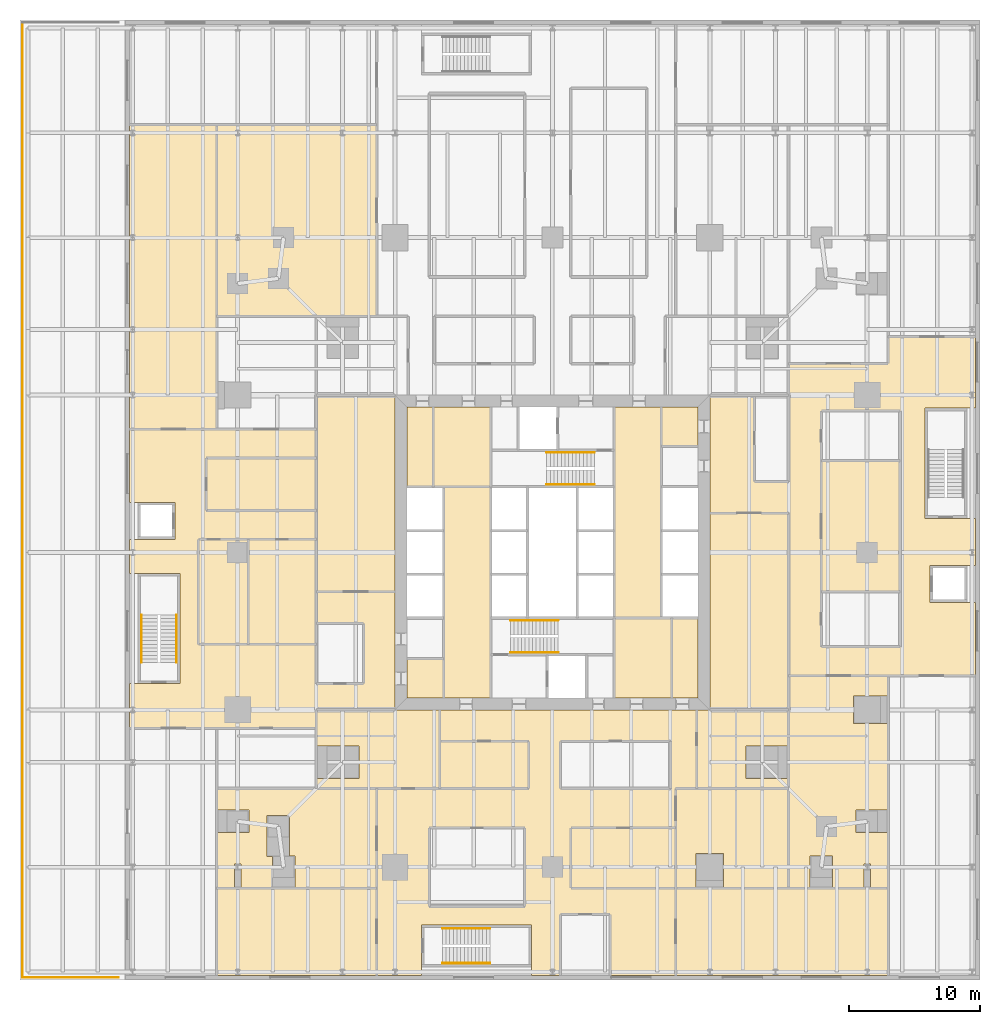
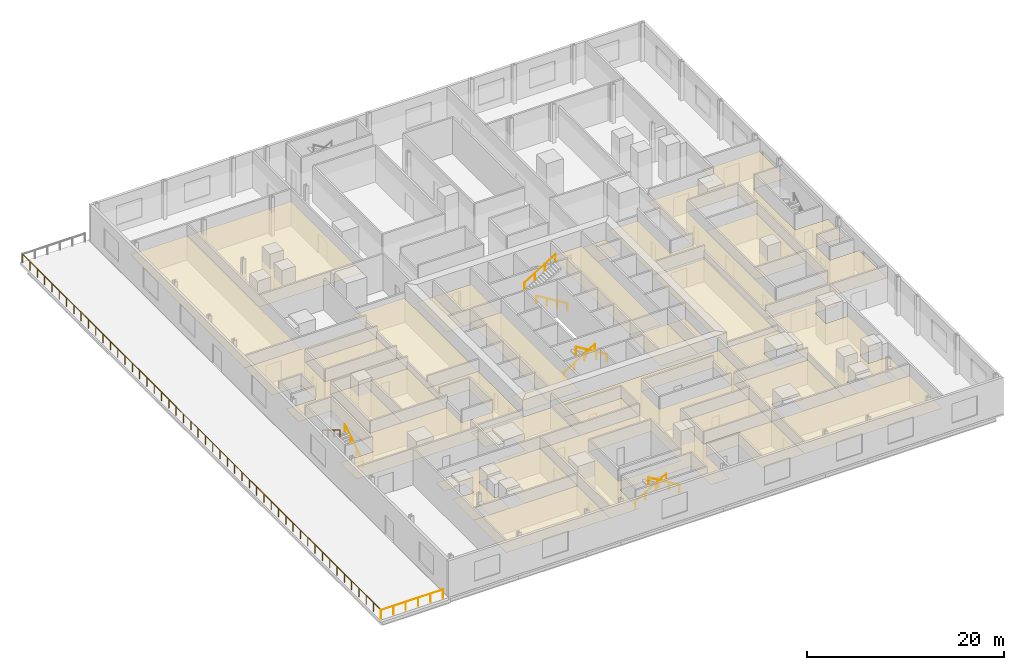
# One storey, part 16 of 17: 28 coverings, 10 railings.
"""IFC4 building model written with IfcOpenShell, lengths in metres."""

from ifc_helpers import new_model, si_unit, direction, frame, origin, origin_2d, place, context, subcontext, project, spatial, polyline, circle, outline, extrude, material, layer, layer_set, type_object, element, save


model = new_model("IFC4")

# Units and contexts
model_context = context("Model", 3, precision=1e-05, world=origin(), true_north=direction((0.0, 1.0)))
body_context = subcontext(model_context, "Body", "Model", "MODEL_VIEW")
ifc_project = project(units=[si_unit("LENGTHUNIT", "METRE"), si_unit("AREAUNIT", "SQUARE_METRE"), si_unit("VOLUMEUNIT", "CUBIC_METRE"), si_unit("PLANEANGLEUNIT", "RADIAN"), si_unit("MASSUNIT", "GRAM", prefix="KILO")], contexts=[model_context])

# Site, building, storey
site_placement = place(None, origin())
site = spatial("IfcSite", under=ifc_project, at=site_placement, CompositionType="ELEMENT")
building_placement = place(site_placement, origin())
building = spatial("IfcBuilding", under=site, at=building_placement, Name="Fenwick Lantern Interchange", CompositionType="ELEMENT")
storey_placement = place(building_placement, frame((0.0, 0.0, 21.39990234375)))
storey = spatial("IfcBuildingStorey", under=building, at=storey_placement, Name="L04", CompositionType="ELEMENT", Elevation=21.39990234375)

# Coverings
ifc_material_1 = material(Name="Mineral fibre acoustic tile on suspended grid")
ifc_layer_1 = layer(ifc_material_1, 0.02001953125)
ifc_layer_set_1 = layer_set([ifc_layer_1], Name="ACOUSTIC TILE CEILING 20")
covering_type_1 = type_object("IfcCoveringType", Name="ACOUSTIC TILE CEILING 20", PredefinedType="CEILING", material=ifc_layer_set_1)
covering_1_placement = place(storey_placement, frame((0.0, 0.0, 2.900146484375)))
element("IfcCovering", 1, at=covering_1_placement, inside=storey, type_object=covering_type_1, Name="Business centre corridor south ceiling", PredefinedType="CEILING", context=body_context, shape_type="SweptSolid", body=[
    extrude(outline(polyline([(11.60009765625, -0.60009765625), (11.60009765625, -7.25), (15.0, -7.25), (15.0, -6.60009765625), (15.0, -3.39990234375), (23.39990234375, -3.39990234375), (23.39990234375, -6.60009765625), (23.39990234375, -7.25), (25.60009765625, -7.25), (25.60009765625, -2.60009765625), (29.39990234375, -2.60009765625), (29.39990234375, -7.25), (34.39990234375, -7.25), (34.39990234375, -0.60009765625), (26.39990234375, -0.60009765625), (26.39990234375, 4.0), (34.39990234375, 4.0), (34.39990234375, 7.0), (36.0, 7.0), (36.0, 13.0), (16.39990234375, 13.0), (16.39990234375, 10.60009765625), (23.199951171875, 10.60009765625), (23.199951171875, 7.0), (16.39990234375, 7.0), (11.60009765625, 7.0), (11.60009765625, -0.60009765625)]), holes=[polyline([(15.60009765625, -2.0), (15.60009765625, 4.0), (22.89990234375, 4.0), (22.89990234375, -2.0), (15.60009765625, -2.0)]), polyline([(25.60009765625, 7.0), (25.60009765625, 10.60009765625), (34.0, 10.60009765625), (34.0, 7.0), (25.60009765625, 7.0)])]), origin(), (0.0, 0.0, 1.0), 0.02001953125),
])
covering_2_placement = place(storey_placement, frame((0.0, 0.0, 2.900146484375)))
element("IfcCovering", 2, at=covering_2_placement, inside=storey, type_object=covering_type_1, Name="Business centre corridor east ceiling", PredefinedType="CEILING", context=body_context, shape_type="SweptSolid", body=[
    extrude(outline(polyline([(50.60009765625, 15.60009765625), (57.25, 15.60009765625), (57.25, 21.199951171875), (56.60009765625, 21.199951171875), (53.800048828125, 21.199951171875), (53.800048828125, 24.0), (56.60009765625, 24.0), (57.25, 24.0), (57.25, 27.60009765625), (56.60009765625, 27.60009765625), (53.39990234375, 27.60009765625), (53.39990234375, 36.0), (56.60009765625, 36.0), (57.25, 36.0), (57.25, 41.449951171875), (50.60009765625, 41.449951171875), (50.60009765625, 39.39990234375), (43.0, 39.39990234375), (43.0, 37.0), (43.0, 30.39990234375), (40.39990234375, 30.39990234375), (40.39990234375, 37.0), (37.0, 37.0), (37.0, 28.0), (43.0, 28.0), (43.0, 15.60009765625), (50.60009765625, 15.60009765625)]), holes=[polyline([(45.5, 17.800048828125), (45.5, 22.0), (45.5, 32.0), (45.5, 35.800048828125), (51.5, 35.800048828125), (51.5, 32.0), (51.5, 22.0), (51.5, 17.800048828125), (45.5, 17.800048828125)])]), origin(), (0.0, 0.0, 1.0), 0.02001953125),
])
covering_3_placement = place(storey_placement, frame((0.0, 0.0, 2.900146484375)))
element("IfcCovering", 3, at=covering_3_placement, inside=storey, type_object=covering_type_1, Name="Business centre corridor west ceiling", PredefinedType="CEILING", context=body_context, shape_type="SweptSolid", body=[
    extrude(outline(polyline([(-0.60009765625, 34.39990234375), (-7.25, 34.39990234375), (-7.25, 28.800048828125), (-6.60009765625, 28.800048828125), (-3.800048828125, 28.800048828125), (-3.800048828125, 26.0), (-6.60009765625, 26.0), (-7.25, 26.0), (-7.25, 23.39990234375), (-6.60009765625, 23.39990234375), (-3.39990234375, 23.39990234375), (-3.39990234375, 18.0), (-3.39990234375, 15.0), (-6.60009765625, 15.0), (-7.25, 15.0), (-7.25, 11.60009765625), (-0.60009765625, 11.60009765625), (7.0, 11.60009765625), (7.0, 13.0), (13.0, 13.0), (13.0, 22.0), (7.0, 22.0), (7.0, 19.60009765625), (10.60009765625, 19.60009765625), (10.60009765625, 15.0), (7.0, 15.0), (7.0, 18.0), (1.800048828125, 18.0), (-2.0, 18.0), (-2.0, 26.0), (1.800048828125, 26.0), (7.0, 26.0), (7.0, 28.199951171875), (-1.39990234375, 28.199951171875), (-1.39990234375, 32.199951171875), (7.0, 32.199951171875), (7.0, 34.39990234375), (-0.60009765625, 34.39990234375)])), origin(), (0.0, 0.0, 1.0), 0.02001953125),
])
covering_4_placement = place(storey_placement, frame((0.0, 0.0, 2.900146484375)))
element("IfcCovering", 4, at=covering_4_placement, inside=storey, type_object=covering_type_1, Name="Office suite 04-1 ceiling", PredefinedType="CEILING", context=body_context, shape_type="SweptSolid", body=[
    extrude(outline(polyline([(-0.60009765625, -0.60009765625), (-0.60009765625, -7.25), (11.60009765625, -7.25), (11.60009765625, -0.60009765625), (-0.60009765625, -0.60009765625)])), origin(), (0.0, 0.0, 1.0), 0.02001953125),
])
covering_5_placement = place(storey_placement, frame((0.0, 0.0, 2.900146484375)))
element("IfcCovering", 5, at=covering_5_placement, inside=storey, type_object=covering_type_1, Name="Office suite 04-9 ceiling", PredefinedType="CEILING", context=body_context, shape_type="SweptSolid", body=[
    extrude(outline(polyline([(5.35009765625, -0.60009765625), (11.60009765625, -0.60009765625), (11.60009765625, 7.0), (-0.60009765625, 7.0), (-0.60009765625, 5.35009765625), (1.85009765625, 5.35009765625), (1.85009765625, 3.64990234375), (-0.60009765625, 3.64990234375), (-0.60009765625, -0.60009765625), (0.746826171875, -0.60009765625), (0.746826171875, 1.25830078125), (1.253173828125, 1.25830078125), (1.253173828125, -0.60009765625), (3.64990234375, -0.60009765625), (3.64990234375, 1.800048828125), (3.25, 1.800048828125), (3.25, 4.949951171875), (4.949951171875, 4.949951171875), (4.949951171875, 1.85009765625), (5.35009765625, 1.85009765625), (5.35009765625, -0.60009765625)])), origin(), (0.0, 0.0, 1.0), 0.02001953125),
])
covering_6_placement = place(storey_placement, frame((0.0, 0.0, 2.900146484375)))
element("IfcCovering", 6, at=covering_6_placement, inside=storey, type_object=covering_type_1, Name="Office suite 04-2 ceiling", PredefinedType="CEILING", context=body_context, shape_type="SweptSolid", body=[
    extrude(outline(polyline([(34.39990234375, -0.60009765625), (34.39990234375, -7.25), (50.60009765625, -7.25), (50.60009765625, -0.60009765625), (34.39990234375, -0.60009765625)])), origin(), (0.0, 0.0, 1.0), 0.02001953125),
])
covering_7_placement = place(storey_placement, frame((0.0, 0.0, 2.900146484375)))
element("IfcCovering", 7, at=covering_7_placement, inside=storey, type_object=covering_type_1, Name="Meeting room 04-2 ceiling", PredefinedType="CEILING", context=body_context, shape_type="SweptSolid", body=[
    extrude(outline(polyline([(34.39990234375, 7.0), (34.39990234375, -0.60009765625), (35.949951171875, -0.60009765625), (35.949951171875, 2.050048828125), (38.050048828125, 2.050048828125), (38.050048828125, -0.60009765625), (43.0, -0.60009765625), (43.0, 7.0), (34.39990234375, 7.0)])), origin(), (0.0, 0.0, 1.0), 0.02001953125),
])
covering_8_placement = place(storey_placement, frame((0.0, 0.0, 2.900146484375)))
element("IfcCovering", 8, at=covering_8_placement, inside=storey, type_object=covering_type_1, Name="Office suite 04-7 ceiling", PredefinedType="CEILING", context=body_context, shape_type="SweptSolid", body=[
    extrude(outline(polyline([(-0.60009765625, 57.60009765625), (-7.25, 57.60009765625), (-7.25, 34.39990234375), (-0.60009765625, 34.39990234375), (-0.60009765625, 57.60009765625)])), origin(), (0.0, 0.0, 1.0), 0.02001953125),
])
covering_9_placement = place(storey_placement, frame((0.0, 0.0, 2.900146484375)))
element("IfcCovering", 9, at=covering_9_placement, inside=storey, type_object=covering_type_1, Name="Office suite 04-8 ceiling", PredefinedType="CEILING", context=body_context, shape_type="SweptSolid", body=[
    extrude(outline(polyline([(-0.60009765625, 43.0), (11.60009765625, 43.0), (11.60009765625, 57.60009765625), (-0.60009765625, 57.60009765625), (-0.60009765625, 43.0)])), origin(), (0.0, 0.0, 1.0), 0.02001953125),
])
covering_10_placement = place(storey_placement, frame((0.0, 0.0, 2.900146484375)))
element("IfcCovering", 10, at=covering_10_placement, inside=storey, type_object=covering_type_1, Name="Business centre reception ceiling", PredefinedType="CEILING", context=body_context, shape_type="SweptSolid", body=[
    extrude(outline(polyline([(7.0, 22.0), (13.0, 22.0), (13.0, 37.0), (7.0, 37.0), (7.0, 22.0)])), origin(), (0.0, 0.0, 1.0), 0.02001953125),
])
covering_11_placement = place(storey_placement, frame((0.0, 0.0, 2.7001953125)))
element("IfcCovering", 11, at=covering_11_placement, inside=storey, type_object=covering_type_1, Name="Print and copy room ceiling", PredefinedType="CEILING", context=body_context, shape_type="SweptSolid", body=[
    extrude(outline(polyline([(37.0, 13.0), (43.0, 13.0), (43.0, 28.0), (37.0, 28.0), (37.0, 13.0)])), origin(), (0.0, 0.0, 1.0), 0.02001953125),
])
covering_12_placement = place(storey_placement, frame((0.0, 0.0, 2.900146484375)))
element("IfcCovering", 12, at=covering_12_placement, inside=storey, type_object=covering_type_1, Name="Meeting room 04-5 ceiling", PredefinedType="CEILING", context=body_context, shape_type="SweptSolid", body=[
    extrude(outline(polyline([(36.0, 13.0), (36.0, 7.0), (43.0, 7.0), (43.0, 7.75), (39.75, 7.75), (39.75, 10.25), (43.0, 10.25), (43.0, 13.0), (36.0, 13.0)])), origin(), (0.0, 0.0, 1.0), 0.02001953125),
])
covering_13_placement = place(storey_placement, frame((0.0, 0.0, 2.900146484375)))
element("IfcCovering", 13, at=covering_13_placement, inside=storey, type_object=covering_type_1, Name="Meeting room 04-6 ceiling", PredefinedType="CEILING", context=body_context, shape_type="SweptSolid", body=[
    extrude(outline(polyline([(26.39990234375, -0.60009765625), (34.39990234375, -0.60009765625), (34.39990234375, 4.0), (26.39990234375, 4.0), (26.39990234375, -0.60009765625)])), origin(), (0.0, 0.0, 1.0), 0.02001953125),
])
covering_14_placement = place(storey_placement, frame((0.0, 0.0, 2.900146484375)))
element("IfcCovering", 14, at=covering_14_placement, inside=storey, type_object=covering_type_1, Name="Meeting room 04-7 ceiling", PredefinedType="CEILING", context=body_context, shape_type="SweptSolid", body=[
    extrude(outline(polyline([(1.800048828125, 26.0), (-2.0, 26.0), (-2.0, 18.0), (1.800048828125, 18.0), (1.800048828125, 26.0)])), origin(), (0.0, 0.0, 1.0), 0.02001953125),
])
covering_15_placement = place(storey_placement, frame((0.0, 0.0, 2.900146484375)))
element("IfcCovering", 15, at=covering_15_placement, inside=storey, type_object=covering_type_1, Name="Meeting room 04-7B ceiling", PredefinedType="CEILING", context=body_context, shape_type="SweptSolid", body=[
    extrude(outline(polyline([(7.0, 26.0), (1.800048828125, 26.0), (1.800048828125, 18.0), (7.0, 18.0), (7.0, 26.0)])), origin(), (0.0, 0.0, 1.0), 0.02001953125),
])
covering_16_placement = place(storey_placement, frame((0.0, 0.0, 2.900146484375)))
element("IfcCovering", 16, at=covering_16_placement, inside=storey, type_object=covering_type_1, Name="Business centre lounge ceiling", PredefinedType="CEILING", context=body_context, shape_type="SweptSolid", body=[
    extrude(outline(polyline([(45.5, 22.0), (51.5, 22.0), (51.5, 32.0), (45.5, 32.0), (45.5, 22.0)])), origin(), (0.0, 0.0, 1.0), 0.02001953125),
])
covering_17_placement = place(storey_placement, frame((0.0, 0.0, 2.900146484375)))
element("IfcCovering", 17, at=covering_17_placement, inside=storey, type_object=covering_type_1, Name="Meeting room 04-9 ceiling", PredefinedType="CEILING", context=body_context, shape_type="SweptSolid", body=[
    extrude(outline(polyline([(16.39990234375, 7.0), (23.199951171875, 7.0), (23.199951171875, 10.60009765625), (16.39990234375, 10.60009765625), (16.39990234375, 7.0)])), origin(), (0.0, 0.0, 1.0), 0.02001953125),
])
covering_18_placement = place(storey_placement, frame((0.0, 0.0, 2.900146484375)))
element("IfcCovering", 18, at=covering_18_placement, inside=storey, type_object=covering_type_1, Name="Meeting room 04-11 ceiling", PredefinedType="CEILING", context=body_context, shape_type="SweptSolid", body=[
    extrude(outline(polyline([(-1.39990234375, 28.199951171875), (7.0, 28.199951171875), (7.0, 32.199951171875), (-1.39990234375, 32.199951171875), (-1.39990234375, 28.199951171875)])), origin(), (0.0, 0.0, 1.0), 0.02001953125),
])

# Railings
ifc_material_2 = material(Name="Stainless steel handrail", Category="steel")
railing_type_1 = type_object("IfcRailingType", Name="HANDRAIL 900", PredefinedType="HANDRAIL", material=ifc_material_2)
railing_1_placement = place(storey_placement, frame((21.800048828125, 19.825927734375, 0.171630859375)))
element("IfcRailing", 19, at=railing_1_placement, inside=storey, type_object=railing_type_1, Name="L04/STAIR/ST1/HR1", PredefinedType="HANDRAIL", context=body_context, shape_type="SweptSolid", body=[
    extrude(circle(Radius=0.02392578125, at=origin_2d()), frame((0.0, 0.0, 0.8759765625), z_axis=(0.852850264322, 0.0, 0.5221555579), x_axis=(0.0, 1.0, 0.0)), (0.0, 0.0, 1.0), 4.267822265625),
    extrude(circle(Radius=0.02099609375, at=origin_2d()), origin(), (0.0, 0.0, 1.0), 0.851806640625),
    extrude(circle(Radius=0.02099609375, at=origin_2d()), frame((1.21337890625, 0.0, 0.742919921875)), (0.0, 0.0, 1.0), 0.851806640625),
    extrude(circle(Radius=0.02099609375, at=origin_2d()), frame((2.426513671875, 0.0, 1.485595703125)), (0.0, 0.0, 1.0), 0.851806640625),
    extrude(circle(Radius=0.02099609375, at=origin_2d()), frame((3.639892578125, 0.0, 2.228515625)), (0.0, 0.0, 1.0), 0.851806640625),
])
for number, where, name in (
    (20, (25.43994140625, 17.3740234375, 2.571533203125), "L04/STAIR/ST1/HR2"),
    (21, (28.199951171875, 30.174072265625, 0.171630859375), "L04/STAIR/ST2/HR1"),
):
    element("IfcRailing", number, at=place(storey_placement, frame(where)), inside=storey, type_object=railing_type_1, Name=name, PredefinedType="HANDRAIL", context=body_context, shape_type="SweptSolid", body=[
        extrude(circle(Radius=0.02392578125, at=origin_2d()), frame((0.0, 0.0, 0.8759765625), z_axis=(-0.852850264322, 0.0, 0.5221555579), x_axis=(0.0, -1.0, 0.0)), (0.0, 0.0, 1.0), 4.267822265625),
        extrude(circle(Radius=0.02099609375, at=origin_2d()), origin(), (0.0, 0.0, 1.0), 0.851806640625),
        extrude(circle(Radius=0.02099609375, at=origin_2d()), frame((-1.21337890625, 0.0, 0.742919921875)), (0.0, 0.0, 1.0), 0.851806640625),
        extrude(circle(Radius=0.02099609375, at=origin_2d()), frame((-2.426513671875, 0.0, 1.485595703125)), (0.0, 0.0, 1.0), 0.851806640625),
        extrude(circle(Radius=0.02099609375, at=origin_2d()), frame((-3.639892578125, 0.0, 2.228515625)), (0.0, 0.0, 1.0), 0.851806640625),
    ])
for number, where, name in (
    (22, (24.56005859375, 32.6259765625, 2.571533203125), "L04/STAIR/ST2/HR2"),
    (23, (16.60009765625, -3.674072265625, 0.171630859375), "L04/STAIR/PS2/HR1"),
):
    element("IfcRailing", number, at=place(storey_placement, frame(where)), inside=storey, type_object=railing_type_1, Name=name, PredefinedType="HANDRAIL", context=body_context, shape_type="SweptSolid", body=[
        extrude(circle(Radius=0.02392578125, at=origin_2d()), frame((0.0, 0.0, 0.8759765625), z_axis=(0.852850264322, 0.0, 0.5221555579), x_axis=(0.0, 1.0, 0.0)), (0.0, 0.0, 1.0), 4.267822265625),
        extrude(circle(Radius=0.02099609375, at=origin_2d()), origin(), (0.0, 0.0, 1.0), 0.851806640625),
        extrude(circle(Radius=0.02099609375, at=origin_2d()), frame((1.21337890625, 0.0, 0.742919921875)), (0.0, 0.0, 1.0), 0.851806640625),
        extrude(circle(Radius=0.02099609375, at=origin_2d()), frame((2.426513671875, 0.0, 1.485595703125)), (0.0, 0.0, 1.0), 0.851806640625),
        extrude(circle(Radius=0.02099609375, at=origin_2d()), frame((3.639892578125, 0.0, 2.228515625)), (0.0, 0.0, 1.0), 0.851806640625),
    ])
railing_2_placement = place(storey_placement, frame((20.239990234375, -6.325927734375, 2.571533203125)))
element("IfcRailing", 24, at=railing_2_placement, inside=storey, type_object=railing_type_1, Name="L04/STAIR/PS2/HR2", PredefinedType="HANDRAIL", context=body_context, shape_type="SweptSolid", body=[
    extrude(circle(Radius=0.02392578125, at=origin_2d()), frame((0.0, 0.0, 0.8759765625), z_axis=(-0.852850264322, 0.0, 0.5221555579), x_axis=(0.0, -1.0, 0.0)), (0.0, 0.0, 1.0), 4.267822265625),
    extrude(circle(Radius=0.02099609375, at=origin_2d()), origin(), (0.0, 0.0, 1.0), 0.851806640625),
    extrude(circle(Radius=0.02099609375, at=origin_2d()), frame((-1.21337890625, 0.0, 0.742919921875)), (0.0, 0.0, 1.0), 0.851806640625),
    extrude(circle(Radius=0.02099609375, at=origin_2d()), frame((-2.426513671875, 0.0, 1.485595703125)), (0.0, 0.0, 1.0), 0.851806640625),
    extrude(circle(Radius=0.02099609375, at=origin_2d()), frame((-3.639892578125, 0.0, 2.228515625)), (0.0, 0.0, 1.0), 0.851806640625),
])
railing_3_placement = place(storey_placement, frame((-3.674072265625, 16.60009765625, 0.171630859375)))
element("IfcRailing", 25, at=railing_3_placement, inside=storey, type_object=railing_type_1, Name="L04/STAIR/PS3/HR1", PredefinedType="HANDRAIL", context=body_context, shape_type="SweptSolid", body=[
    extrude(circle(Radius=0.02392578125, at=origin_2d()), frame((0.0, 0.0, 0.8759765625), z_axis=(0.0, 0.852850264322, 0.5221555579), x_axis=(-1.0, 0.0, 0.0)), (0.0, 0.0, 1.0), 4.267822265625),
    extrude(circle(Radius=0.02099609375, at=origin_2d()), origin(), (0.0, 0.0, 1.0), 0.851806640625),
    extrude(circle(Radius=0.02099609375, at=origin_2d()), frame((0.0, 1.21337890625, 0.742919921875)), (0.0, 0.0, 1.0), 0.851806640625),
    extrude(circle(Radius=0.02099609375, at=origin_2d()), frame((0.0, 2.426513671875, 1.485595703125)), (0.0, 0.0, 1.0), 0.851806640625),
    extrude(circle(Radius=0.02099609375, at=origin_2d()), frame((0.0, 3.639892578125, 2.228515625)), (0.0, 0.0, 1.0), 0.851806640625),
])
railing_4_placement = place(storey_placement, frame((-6.325927734375, 20.239990234375, 2.571533203125)))
element("IfcRailing", 26, at=railing_4_placement, inside=storey, type_object=railing_type_1, Name="L04/STAIR/PS3/HR2", PredefinedType="HANDRAIL", context=body_context, shape_type="SweptSolid", body=[
    extrude(circle(Radius=0.02392578125, at=origin_2d()), frame((0.0, 0.0, 0.8759765625), z_axis=(0.0, -0.852850264322, 0.5221555579), x_axis=(1.0, 0.0, 0.0)), (0.0, 0.0, 1.0), 4.267822265625),
    extrude(circle(Radius=0.02099609375, at=origin_2d()), origin(), (0.0, 0.0, 1.0), 0.851806640625),
    extrude(circle(Radius=0.02099609375, at=origin_2d()), frame((0.0, -1.21337890625, 0.742919921875)), (0.0, 0.0, 1.0), 0.851806640625),
    extrude(circle(Radius=0.02099609375, at=origin_2d()), frame((0.0, -2.426513671875, 1.485595703125)), (0.0, 0.0, 1.0), 0.851806640625),
    extrude(circle(Radius=0.02099609375, at=origin_2d()), frame((0.0, -3.639892578125, 2.228515625)), (0.0, 0.0, 1.0), 0.851806640625),
])

# Coverings
ifc_material_3 = material(Name="Moisture resistant gypsum board on suspended frame, painted")
ifc_layer_2 = layer(ifc_material_3, 0.014892578125)
ifc_layer_set_2 = layer_set([ifc_layer_2], Name="MOISTURE RESISTANT CEILING 15")
covering_type_2 = type_object("IfcCoveringType", Name="MOISTURE RESISTANT CEILING 15", PredefinedType="CEILING", material=ifc_layer_set_2)
covering_19_placement = place(storey_placement, frame((0.0, 0.0, 2.60009765625)))
element("IfcCovering", 27, at=covering_19_placement, inside=storey, type_object=covering_type_2, Name="Women's WC ceiling", PredefinedType="CEILING", context=body_context, shape_type="SweptSolid", body=[
    extrude(outline(polyline([(29.699951171875, 13.89990234375), (34.10009765625, 13.89990234375), (34.10009765625, 20.0), (29.699951171875, 20.0), (29.699951171875, 13.89990234375)])), origin(), (0.0, 0.0, 1.0), 0.014892578125),
])
covering_20_placement = place(storey_placement, frame((0.0, 0.0, 2.60009765625)))
element("IfcCovering", 28, at=covering_20_placement, inside=storey, type_object=covering_type_2, Name="Men's WC ceiling", PredefinedType="CEILING", context=body_context, shape_type="SweptSolid", body=[
    extrude(outline(polyline([(34.10009765625, 13.89990234375), (36.10009765625, 13.89990234375), (36.10009765625, 20.0), (34.10009765625, 20.0), (34.10009765625, 13.89990234375)])), origin(), (0.0, 0.0, 1.0), 0.014892578125),
])
covering_21_placement = place(storey_placement, frame((0.0, 0.0, 2.60009765625)))
element("IfcCovering", 29, at=covering_21_placement, inside=storey, type_object=covering_type_2, Name="Accessible WC ceiling", PredefinedType="CEILING", context=body_context, shape_type="SweptSolid", body=[
    extrude(outline(polyline([(13.89990234375, 13.89990234375), (16.699951171875, 13.89990234375), (16.699951171875, 16.89990234375), (13.89990234375, 16.89990234375), (13.89990234375, 13.89990234375)])), origin(), (0.0, 0.0, 1.0), 0.014892578125),
])
covering_22_placement = place(storey_placement, frame((0.0, 0.0, 2.60009765625)))
element("IfcCovering", 30, at=covering_22_placement, inside=storey, type_object=covering_type_2, Name="Women's WC ceiling", PredefinedType="CEILING", context=body_context, shape_type="SweptSolid", body=[
    extrude(outline(polyline([(20.300048828125, 36.10009765625), (15.89990234375, 36.10009765625), (15.89990234375, 30.0), (20.300048828125, 30.0), (20.300048828125, 36.10009765625)])), origin(), (0.0, 0.0, 1.0), 0.014892578125),
])
covering_23_placement = place(storey_placement, frame((0.0, 0.0, 2.60009765625)))
element("IfcCovering", 31, at=covering_23_placement, inside=storey, type_object=covering_type_2, Name="Men's WC ceiling", PredefinedType="CEILING", context=body_context, shape_type="SweptSolid", body=[
    extrude(outline(polyline([(15.89990234375, 36.10009765625), (13.89990234375, 36.10009765625), (13.89990234375, 30.0), (15.89990234375, 30.0), (15.89990234375, 36.10009765625)])), origin(), (0.0, 0.0, 1.0), 0.014892578125),
])
covering_24_placement = place(storey_placement, frame((0.0, 0.0, 2.60009765625)))
element("IfcCovering", 32, at=covering_24_placement, inside=storey, type_object=covering_type_2, Name="Accessible WC ceiling", PredefinedType="CEILING", context=body_context, shape_type="SweptSolid", body=[
    extrude(outline(polyline([(36.10009765625, 36.10009765625), (33.300048828125, 36.10009765625), (33.300048828125, 33.10009765625), (36.10009765625, 33.10009765625), (36.10009765625, 36.10009765625)])), origin(), (0.0, 0.0, 1.0), 0.014892578125),
])
covering_25_placement = place(storey_placement, frame((0.0, 0.0, 2.7001953125)))
element("IfcCovering", 33, at=covering_25_placement, inside=storey, type_object=covering_type_2, Name="Pantry ceiling", PredefinedType="CEILING", context=body_context, shape_type="SweptSolid", body=[
    extrude(outline(polyline([(47.949951171875, 14.050048828125), (50.60009765625, 14.050048828125), (50.60009765625, 15.60009765625), (43.0, 15.60009765625), (43.0, -0.60009765625), (44.64990234375, -0.60009765625), (44.64990234375, 1.85009765625), (46.35009765625, 1.85009765625), (46.35009765625, -0.60009765625), (48.746826171875, -0.60009765625), (48.746826171875, 1.25830078125), (49.253173828125, 1.25830078125), (49.253173828125, -0.60009765625), (50.60009765625, -0.60009765625), (50.60009765625, 3.64990234375), (48.14990234375, 3.64990234375), (48.14990234375, 5.35009765625), (50.60009765625, 5.35009765625), (50.60009765625, 11.949951171875), (47.949951171875, 11.949951171875), (47.949951171875, 14.050048828125)])), origin(), (0.0, 0.0, 1.0), 0.014892578125),
])
covering_26_placement = place(storey_placement, frame((0.0, 0.0, 2.7001953125)))
element("IfcCovering", 34, at=covering_26_placement, inside=storey, type_object=covering_type_2, Name="Pantry ceiling", PredefinedType="CEILING", context=body_context, shape_type="SweptSolid", body=[
    extrude(outline(polyline([(7.0, 7.75), (7.0, 7.0), (16.39990234375, 7.0), (16.39990234375, 13.0), (7.0, 13.0), (7.0, 10.25), (10.25, 10.25), (10.25, 7.75), (7.0, 7.75)])), origin(), (0.0, 0.0, 1.0), 0.014892578125),
])
ifc_material_4 = material(Name="Gypsum plasterboard on suspended frame, painted")
ifc_layer_3 = layer(ifc_material_4, 0.014892578125)
ifc_layer_set_3 = layer_set([ifc_layer_3], Name="PLASTERBOARD CEILING 15")
covering_type_3 = type_object("IfcCoveringType", Name="PLASTERBOARD CEILING 15", PredefinedType="CEILING", material=ifc_layer_set_3)
covering_27_placement = place(storey_placement, frame((0.0, 0.0, 2.800048828125)))
element("IfcCovering", 35, at=covering_27_placement, inside=storey, type_object=covering_type_3, Name="Lift lobby ceiling", PredefinedType="CEILING", context=body_context, shape_type="SweptSolid", body=[
    extrude(outline(polyline([(16.699951171875, 13.89990234375), (20.300048828125, 13.89990234375), (20.300048828125, 30.0), (16.699951171875, 30.0), (16.699951171875, 13.89990234375)])), origin(), (0.0, 0.0, 1.0), 0.01513671875),
])
covering_28_placement = place(storey_placement, frame((0.0, 0.0, 2.800048828125)))
element("IfcCovering", 36, at=covering_28_placement, inside=storey, type_object=covering_type_3, Name="Lift lobby ceiling", PredefinedType="CEILING", context=body_context, shape_type="SweptSolid", body=[
    extrude(outline(polyline([(33.300048828125, 36.10009765625), (29.699951171875, 36.10009765625), (29.699951171875, 20.0), (33.300048828125, 20.0), (33.300048828125, 36.10009765625)])), origin(), (0.0, 0.0, 1.0), 0.01513671875),
])

# Railings
ifc_material_5 = material(Name="Stainless steel and laminated glass guard", Category="steel")
railing_type_2 = type_object("IfcRailingType", Name="TERRACE GUARD 1100", PredefinedType="GUARDRAIL", material=ifc_material_5)
railing_5_placement = place(storey_placement, frame((-15.39990234375, 65.39990234375, 0.0)))
element("IfcRailing", 37, at=railing_5_placement, inside=storey, type_object=railing_type_2, Name="L04/GR/1", PredefinedType="GUARDRAIL", context=body_context, shape_type="SweptSolid", body=[
    extrude(circle(Radius=0.02392578125, at=origin_2d()), frame((0.0, 0.0, 1.076171875), z_axis=(0.0, -1.0, 0.0), x_axis=(1.0, 0.0, 0.0)), (0.0, 0.0, 1.0), 72.7998046875),
    extrude(circle(Radius=0.02099609375, at=origin_2d()), origin(), (0.0, 0.0, 1.0), 1.052001953125),
    extrude(circle(Radius=0.02099609375, at=origin_2d()), frame((0.0, -1.485595703125, 0.0)), (0.0, 0.0, 1.0), 1.052001953125),
    extrude(circle(Radius=0.02099609375, at=origin_2d()), frame((0.0, -2.971435546875, 0.0)), (0.0, 0.0, 1.0), 1.052001953125),
    extrude(circle(Radius=0.02099609375, at=origin_2d()), frame((0.0, -4.45703125, 0.0)), (0.0, 0.0, 1.0), 1.052001953125),
    extrude(circle(Radius=0.02099609375, at=origin_2d()), frame((0.0, -5.94287109375, 0.0)), (0.0, 0.0, 1.0), 1.052001953125),
    extrude(circle(Radius=0.02099609375, at=origin_2d()), frame((0.0, -7.428466796875, 0.0)), (0.0, 0.0, 1.0), 1.052001953125),
    extrude(circle(Radius=0.02099609375, at=origin_2d()), frame((0.0, -8.914306640625, 0.0)), (0.0, 0.0, 1.0), 1.052001953125),
    extrude(circle(Radius=0.02099609375, at=origin_2d()), frame((0.0, -10.39990234375, 0.0)), (0.0, 0.0, 1.0), 1.052001953125),
    extrude(circle(Radius=0.02099609375, at=origin_2d()), frame((0.0, -11.8857421875, 0.0)), (0.0, 0.0, 1.0), 1.052001953125),
    extrude(circle(Radius=0.02099609375, at=origin_2d()), frame((0.0, -13.371337890625, 0.0)), (0.0, 0.0, 1.0), 1.052001953125),
    extrude(circle(Radius=0.02099609375, at=origin_2d()), frame((0.0, -14.857177734375, 0.0)), (0.0, 0.0, 1.0), 1.052001953125),
    extrude(circle(Radius=0.02099609375, at=origin_2d()), frame((0.0, -16.3427734375, 0.0)), (0.0, 0.0, 1.0), 1.052001953125),
    extrude(circle(Radius=0.02099609375, at=origin_2d()), frame((0.0, -17.82861328125, 0.0)), (0.0, 0.0, 1.0), 1.052001953125),
    extrude(circle(Radius=0.02099609375, at=origin_2d()), frame((0.0, -19.314208984375, 0.0)), (0.0, 0.0, 1.0), 1.052001953125),
    extrude(circle(Radius=0.02099609375, at=origin_2d()), frame((0.0, -20.800048828125, 0.0)), (0.0, 0.0, 1.0), 1.052001953125),
    extrude(circle(Radius=0.02099609375, at=origin_2d()), frame((0.0, -22.28564453125, 0.0)), (0.0, 0.0, 1.0), 1.052001953125),
    extrude(circle(Radius=0.02099609375, at=origin_2d()), frame((0.0, -23.771484375, 0.0)), (0.0, 0.0, 1.0), 1.052001953125),
    extrude(circle(Radius=0.02099609375, at=origin_2d()), frame((0.0, -25.257080078125, 0.0)), (0.0, 0.0, 1.0), 1.052001953125),
    extrude(circle(Radius=0.02099609375, at=origin_2d()), frame((0.0, -26.74267578125, 0.0)), (0.0, 0.0, 1.0), 1.052001953125),
    extrude(circle(Radius=0.02099609375, at=origin_2d()), frame((0.0, -28.228515625, 0.0)), (0.0, 0.0, 1.0), 1.052001953125),
    extrude(circle(Radius=0.02099609375, at=origin_2d()), frame((0.0, -29.714111328125, 0.0)), (0.0, 0.0, 1.0), 1.052001953125),
    extrude(circle(Radius=0.02099609375, at=origin_2d()), frame((0.0, -31.199951171875, 0.0)), (0.0, 0.0, 1.0), 1.052001953125),
    extrude(circle(Radius=0.02099609375, at=origin_2d()), frame((0.0, -32.685546875, 0.0)), (0.0, 0.0, 1.0), 1.052001953125),
    extrude(circle(Radius=0.02099609375, at=origin_2d()), frame((0.0, -34.17138671875, 0.0)), (0.0, 0.0, 1.0), 1.052001953125),
    extrude(circle(Radius=0.02099609375, at=origin_2d()), frame((0.0, -35.656982421875, 0.0)), (0.0, 0.0, 1.0), 1.052001953125),
    extrude(circle(Radius=0.02099609375, at=origin_2d()), frame((0.0, -37.142822265625, 0.0)), (0.0, 0.0, 1.0), 1.052001953125),
    extrude(circle(Radius=0.02099609375, at=origin_2d()), frame((0.0, -38.62841796875, 0.0)), (0.0, 0.0, 1.0), 1.052001953125),
    extrude(circle(Radius=0.02099609375, at=origin_2d()), frame((0.0, -40.1142578125, 0.0)), (0.0, 0.0, 1.0), 1.052001953125),
    extrude(circle(Radius=0.02099609375, at=origin_2d()), frame((0.0, -41.599853515625, 0.0)), (0.0, 0.0, 1.0), 1.052001953125),
    extrude(circle(Radius=0.02099609375, at=origin_2d()), frame((0.0, -43.085693359375, 0.0)), (0.0, 0.0, 1.0), 1.052001953125),
    extrude(circle(Radius=0.02099609375, at=origin_2d()), frame((0.0, -44.5712890625, 0.0)), (0.0, 0.0, 1.0), 1.052001953125),
    extrude(circle(Radius=0.02099609375, at=origin_2d()), frame((0.0, -46.05712890625, 0.0)), (0.0, 0.0, 1.0), 1.052001953125),
    extrude(circle(Radius=0.02099609375, at=origin_2d()), frame((0.0, -47.542724609375, 0.0)), (0.0, 0.0, 1.0), 1.052001953125),
    extrude(circle(Radius=0.02099609375, at=origin_2d()), frame((0.0, -49.0283203125, 0.0)), (0.0, 0.0, 1.0), 1.052001953125),
    extrude(circle(Radius=0.02099609375, at=origin_2d()), frame((0.0, -50.51416015625, 0.0)), (0.0, 0.0, 1.0), 1.052001953125),
    extrude(circle(Radius=0.02099609375, at=origin_2d()), frame((0.0, -51.999755859375, 0.0)), (0.0, 0.0, 1.0), 1.052001953125),
    extrude(circle(Radius=0.02099609375, at=origin_2d()), frame((0.0, -53.485595703125, 0.0)), (0.0, 0.0, 1.0), 1.052001953125),
    extrude(circle(Radius=0.02099609375, at=origin_2d()), frame((0.0, -54.97119140625, 0.0)), (0.0, 0.0, 1.0), 1.052001953125),
    extrude(circle(Radius=0.02099609375, at=origin_2d()), frame((0.0, -56.45703125, 0.0)), (0.0, 0.0, 1.0), 1.052001953125),
    extrude(circle(Radius=0.02099609375, at=origin_2d()), frame((0.0, -57.942626953125, 0.0)), (0.0, 0.0, 1.0), 1.052001953125),
    extrude(circle(Radius=0.02099609375, at=origin_2d()), frame((0.0, -59.428466796875, 0.0)), (0.0, 0.0, 1.0), 1.052001953125),
    extrude(circle(Radius=0.02099609375, at=origin_2d()), frame((0.0, -60.9140625, 0.0)), (0.0, 0.0, 1.0), 1.052001953125),
    extrude(circle(Radius=0.02099609375, at=origin_2d()), frame((0.0, -62.39990234375, 0.0)), (0.0, 0.0, 1.0), 1.052001953125),
    extrude(circle(Radius=0.02099609375, at=origin_2d()), frame((0.0, -63.885498046875, 0.0)), (0.0, 0.0, 1.0), 1.052001953125),
    extrude(circle(Radius=0.02099609375, at=origin_2d()), frame((0.0, -65.371337890625, 0.0)), (0.0, 0.0, 1.0), 1.052001953125),
    extrude(circle(Radius=0.02099609375, at=origin_2d()), frame((0.0, -66.85693359375, 0.0)), (0.0, 0.0, 1.0), 1.052001953125),
    extrude(circle(Radius=0.02099609375, at=origin_2d()), frame((0.0, -68.3427734375, 0.0)), (0.0, 0.0, 1.0), 1.052001953125),
    extrude(circle(Radius=0.02099609375, at=origin_2d()), frame((0.0, -69.828369140625, 0.0)), (0.0, 0.0, 1.0), 1.052001953125),
    extrude(circle(Radius=0.02099609375, at=origin_2d()), frame((0.0, -71.314208984375, 0.0)), (0.0, 0.0, 1.0), 1.052001953125),
    extrude(circle(Radius=0.02099609375, at=origin_2d()), frame((0.0, -72.7998046875, 0.0)), (0.0, 0.0, 1.0), 1.052001953125),
])
railing_6_placement = place(storey_placement, frame((-15.39990234375, -7.39990234375, 0.0)))
element("IfcRailing", 38, at=railing_6_placement, inside=storey, type_object=railing_type_2, Name="L04/GR/2", PredefinedType="GUARDRAIL", context=body_context, shape_type="SweptSolid", body=[
    extrude(circle(Radius=0.02392578125, at=origin_2d()), frame((0.0, 0.0, 1.076171875), z_axis=(1.0, 0.0, 0.0), x_axis=(0.0, 1.0, 0.0)), (0.0, 0.0, 1.0), 7.2998046875),
    extrude(circle(Radius=0.02099609375, at=origin_2d()), origin(), (0.0, 0.0, 1.0), 1.052001953125),
    extrude(circle(Radius=0.02099609375, at=origin_2d()), frame((1.4599609375, 0.0, 0.0)), (0.0, 0.0, 1.0), 1.052001953125),
    extrude(circle(Radius=0.02099609375, at=origin_2d()), frame((2.919921875, 0.0, 0.0)), (0.0, 0.0, 1.0), 1.052001953125),
    extrude(circle(Radius=0.02099609375, at=origin_2d()), frame((4.3798828125, 0.0, 0.0)), (0.0, 0.0, 1.0), 1.052001953125),
    extrude(circle(Radius=0.02099609375, at=origin_2d()), frame((5.83984375, 0.0, 0.0)), (0.0, 0.0, 1.0), 1.052001953125),
    extrude(circle(Radius=0.02099609375, at=origin_2d()), frame((7.2998046875, 0.0, 0.0)), (0.0, 0.0, 1.0), 1.052001953125),
])

save(model, "model.ifc")
